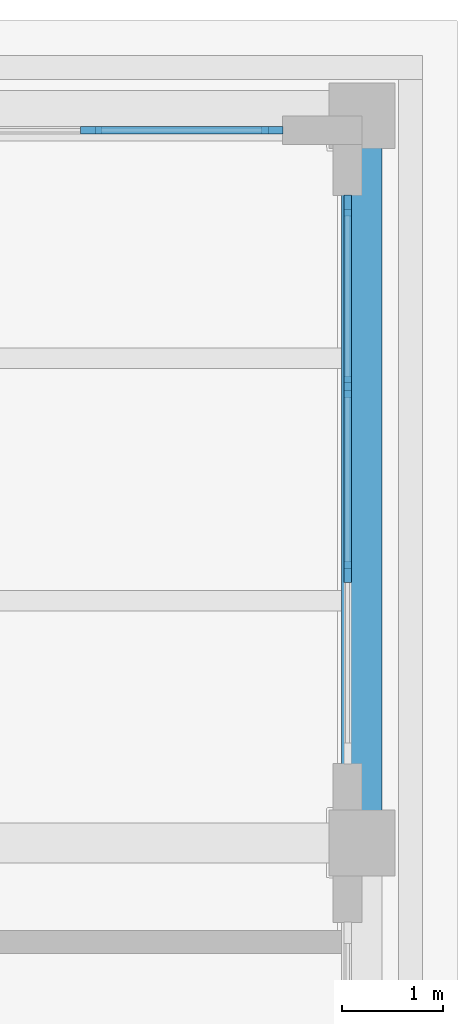
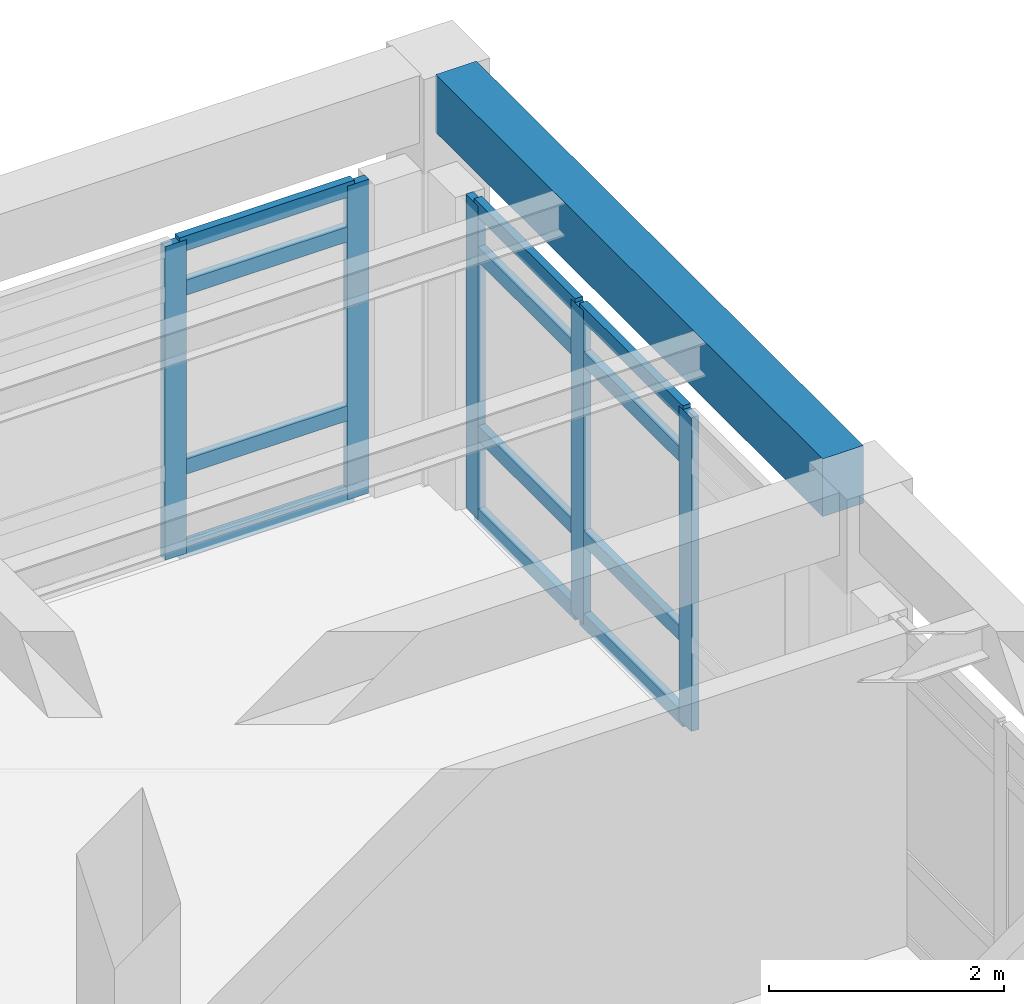
# One storey, part 32 of 55: 17 members, 1 beam, 2 elements without a shape of their own.
"""IFC4 building model written with IfcOpenShell, lengths in metres."""

from ifc_helpers import new_model, si_unit, direction, frame, origin, origin_2d, place, context, subcontext, project, spatial, rectangle, extrude, material, layer, layer_set, material_profile, profile_set, type_object, element, aggregate, save


model = new_model("IFC4")

# Units and contexts
model_context = context("Model", 3, precision=1e-05, world=origin(), true_north=direction((0.0, 1.0)))
body_context = subcontext(model_context, "Body", "Model", "MODEL_VIEW")
ifc_project = project(units=[si_unit("LENGTHUNIT", "METRE"), si_unit("AREAUNIT", "SQUARE_METRE"), si_unit("VOLUMEUNIT", "CUBIC_METRE"), si_unit("PLANEANGLEUNIT", "RADIAN"), si_unit("MASSUNIT", "GRAM", prefix="KILO")], contexts=[model_context])

# Site, building, storey
site_placement = place(None, origin())
site = spatial("IfcSite", under=ifc_project, at=site_placement, CompositionType="ELEMENT")
building_placement = place(site_placement, origin())
building = spatial("IfcBuilding", under=site, at=building_placement, Name="Solenvale Faculty of Natural Sciences", CompositionType="ELEMENT")
storey_placement = place(building_placement, frame((0.0, 0.0, 22.5)))
storey = spatial("IfcBuildingStorey", under=building, at=storey_placement, Name="L05", CompositionType="ELEMENT", Elevation=22.5)

# Beam
ifc_material_1 = material(Name="Concrete 40 MPa", Category="concrete")
ifc_material_profile_1 = material_profile(ifc_material_1, rectangle(XDim=0.39990234375, YDim=0.60009765625, at=origin_2d()), Name="RC-BM-400x600")
ifc_profile_set_1 = profile_set([ifc_material_profile_1], Name="Concrete 40 MPa")
beam_type = type_object("IfcBeamType", Name="BM-RC-400x600", PredefinedType="BEAM", material=ifc_profile_set_1)
beam_placement = place(storey_placement, frame((151.199951171875, 108.304931640625, 3.919921875), z_axis=(0.0, 1.0, 0.0), x_axis=(-1.0, 0.0, 0.0)))
element("IfcBeam", 1, at=beam_placement, inside=storey, type_object=beam_type, Name="L05 Y-Girder X151.2 (108.0..115.2)", PredefinedType="BEAM", context=body_context, shape_type="SweptSolid", body=[
    extrude(rectangle(XDim=0.39990234375, YDim=0.60009765625, at=origin_2d()), origin(), (0.0, 0.0, 1.0), 6.590087890625),
])

# Curtain wall, members
ifc_material_2 = material(Name="Anodised bronze aluminium", Category="aluminium")
ifc_layer = layer(ifc_material_2, 0.179931640625)
ifc_layer_set = layer_set([ifc_layer], Name="Anodised bronze aluminium")
curtain_wall_type = type_object("IfcCurtainWallType", Name="CW-TWR-MOD", PredefinedType="USERDEFINED", material=ifc_layer_set)
curtain_wall_1_placement = place(storey_placement, origin())
curtain_wall_1 = element("IfcCurtainWall", 2, at=curtain_wall_1_placement, inside=storey, type_object=curtain_wall_type, Name="L05 Curtain Wall CW-L05-P2-E2-B3", ObjectType="UNITISED CURTAIN WALL", PredefinedType="USERDEFINED")
ifc_material_profile_2 = material_profile(ifc_material_2, rectangle(XDim=0.074951171875, YDim=0.2099609375, at=origin_2d()), Name="ALU-MUL-75x210")
ifc_profile_set_2 = profile_set([ifc_material_profile_2], Name="Anodised bronze aluminium")
member_type_1 = type_object("IfcMemberType", Name="CWM-ALU-75x210", PredefinedType="MULLION", material=ifc_profile_set_2)
member_1_placement = place(storey_placement, frame((151.0576171875, 110.683349609375, 0.0), z_axis=(0.0, 0.0, 1.0), x_axis=(-1.0, 0.0, 0.0)))
member_1 = element("IfcMember", 3, at=member_1_placement, type_object=member_type_1, Name="CW-04 mullion 2", PredefinedType="MULLION", context=body_context, shape_type="SweptSolid", body=[
    extrude(rectangle(XDim=0.074951171875, YDim=0.2099609375, at=origin_2d()), origin(), (0.0, 0.0, 1.0), 3.260009765625),
])
member_2_placement = place(storey_placement, frame((151.0576171875, 112.5166015625, 0.0), z_axis=(0.0, 0.0, 1.0), x_axis=(-1.0, 0.0, 0.0)))
member_2 = element("IfcMember", 4, at=member_2_placement, type_object=member_type_1, Name="CW-04 mullion 3", PredefinedType="MULLION", context=body_context, shape_type="SweptSolid", body=[
    extrude(rectangle(XDim=0.074951171875, YDim=0.2099609375, at=origin_2d()), origin(), (0.0, 0.0, 1.0), 3.260009765625),
])
member_3_placement = place(storey_placement, frame((151.0576171875, 114.3125, 0.0), z_axis=(0.0, 0.0, 1.0), x_axis=(-1.0, 0.0, 0.0)))
member_3 = element("IfcMember", 5, at=member_3_placement, type_object=member_type_1, Name="CW-04 mullion 4", PredefinedType="MULLION", context=body_context, shape_type="SweptSolid", body=[
    extrude(rectangle(XDim=0.074951171875, YDim=0.2099609375, at=origin_2d()), origin(), (0.0, 0.0, 1.0), 3.260009765625),
])

curtain_wall_2_placement = place(storey_placement, origin())
curtain_wall_2 = element("IfcCurtainWall", 6, at=curtain_wall_2_placement, inside=storey, type_object=curtain_wall_type, Name="L05 Curtain Wall CW-L05-P2-E3-B1", ObjectType="UNITISED CURTAIN WALL", PredefinedType="USERDEFINED")
member_4_placement = place(storey_placement, frame((150.3125, 115.0576171875, 0.0), z_axis=(0.0, 0.0, 1.0), x_axis=(0.0, -1.0, 0.0)))
member_4 = element("IfcMember", 7, at=member_4_placement, type_object=member_type_1, Name="CW-04 mullion 1", PredefinedType="MULLION", context=body_context, shape_type="SweptSolid", body=[
    extrude(rectangle(XDim=0.074951171875, YDim=0.2099609375, at=origin_2d()), origin(), (0.0, 0.0, 1.0), 3.260009765625),
])
member_5_placement = place(storey_placement, frame((148.5166015625, 115.0576171875, 0.0), z_axis=(0.0, 0.0, 1.0), x_axis=(0.0, -1.0, 0.0)))
member_5 = element("IfcMember", 8, at=member_5_placement, type_object=member_type_1, Name="CW-04 mullion 2", PredefinedType="MULLION", context=body_context, shape_type="SweptSolid", body=[
    extrude(rectangle(XDim=0.074951171875, YDim=0.2099609375, at=origin_2d()), origin(), (0.0, 0.0, 1.0), 3.260009765625),
])

# Member
ifc_material_profile_3 = material_profile(ifc_material_2, rectangle(XDim=0.074951171875, YDim=0.155029296875, at=origin_2d()), Name="ALU-TRN-75x155")
ifc_profile_set_3 = profile_set([ifc_material_profile_3], Name="Anodised bronze aluminium")
member_type_2 = type_object("IfcMemberType", Name="CWT-ALU-75x155", PredefinedType="USERDEFINED", material=ifc_profile_set_3)
member_6_placement = place(storey_placement, frame((151.0576171875, 110.720947265625, 0.03759765625), z_axis=(0.0, 1.0, 0.0), x_axis=(-1.0, 0.0, 0.0)))
member_6 = element("IfcMember", 9, at=member_6_placement, type_object=member_type_2, Name="CW-04 transom 2.1", ObjectType="TRANSOM", PredefinedType="USERDEFINED", context=body_context, shape_type="SweptSolid", body=[
    extrude(rectangle(XDim=0.074951171875, YDim=0.155029296875, at=origin_2d()), origin(), (0.0, 0.0, 1.0), 1.75830078125),
])

member_7_placement = place(storey_placement, frame((151.0576171875, 110.720947265625, 0.89990234375), z_axis=(0.0, 1.0, 0.0), x_axis=(-1.0, 0.0, 0.0)))
member_7 = element("IfcMember", 10, at=member_7_placement, type_object=member_type_2, Name="CW-04 transom 2.2", ObjectType="TRANSOM", PredefinedType="USERDEFINED", context=body_context, shape_type="SweptSolid", body=[
    extrude(rectangle(XDim=0.074951171875, YDim=0.155029296875, at=origin_2d()), origin(), (0.0, 0.0, 1.0), 1.75830078125),
])

member_8_placement = place(storey_placement, frame((151.0576171875, 110.720947265625, 2.760009765625), z_axis=(0.0, 1.0, 0.0), x_axis=(-1.0, 0.0, 0.0)))
member_8 = element("IfcMember", 11, at=member_8_placement, type_object=member_type_2, Name="CW-04 transom 2.3", ObjectType="TRANSOM", PredefinedType="USERDEFINED", context=body_context, shape_type="SweptSolid", body=[
    extrude(rectangle(XDim=0.074951171875, YDim=0.155029296875, at=origin_2d()), origin(), (0.0, 0.0, 1.0), 1.75830078125),
])

member_9_placement = place(storey_placement, frame((151.0576171875, 110.720947265625, 3.222412109375), z_axis=(0.0, 1.0, 0.0), x_axis=(-1.0, 0.0, 0.0)))
member_9 = element("IfcMember", 12, at=member_9_placement, type_object=member_type_2, Name="CW-04 transom 2.4", ObjectType="TRANSOM", PredefinedType="USERDEFINED", context=body_context, shape_type="SweptSolid", body=[
    extrude(rectangle(XDim=0.074951171875, YDim=0.155029296875, at=origin_2d()), origin(), (0.0, 0.0, 1.0), 1.75830078125),
])

member_10_placement = place(storey_placement, frame((151.0576171875, 112.55419921875, 0.03759765625), z_axis=(0.0, 1.0, 0.0), x_axis=(-1.0, 0.0, 0.0)))
member_10 = element("IfcMember", 13, at=member_10_placement, type_object=member_type_2, Name="CW-04 transom 3.1", ObjectType="TRANSOM", PredefinedType="USERDEFINED", context=body_context, shape_type="SweptSolid", body=[
    extrude(rectangle(XDim=0.074951171875, YDim=0.155029296875, at=origin_2d()), origin(), (0.0, 0.0, 1.0), 1.720703125),
])

member_11_placement = place(storey_placement, frame((151.0576171875, 112.55419921875, 0.89990234375), z_axis=(0.0, 1.0, 0.0), x_axis=(-1.0, 0.0, 0.0)))
member_11 = element("IfcMember", 14, at=member_11_placement, type_object=member_type_2, Name="CW-04 transom 3.2", ObjectType="TRANSOM", PredefinedType="USERDEFINED", context=body_context, shape_type="SweptSolid", body=[
    extrude(rectangle(XDim=0.074951171875, YDim=0.155029296875, at=origin_2d()), origin(), (0.0, 0.0, 1.0), 1.720703125),
])

member_12_placement = place(storey_placement, frame((151.0576171875, 112.55419921875, 2.760009765625), z_axis=(0.0, 1.0, 0.0), x_axis=(-1.0, 0.0, 0.0)))
member_12 = element("IfcMember", 15, at=member_12_placement, type_object=member_type_2, Name="CW-04 transom 3.3", ObjectType="TRANSOM", PredefinedType="USERDEFINED", context=body_context, shape_type="SweptSolid", body=[
    extrude(rectangle(XDim=0.074951171875, YDim=0.155029296875, at=origin_2d()), origin(), (0.0, 0.0, 1.0), 1.720703125),
])

member_13_placement = place(storey_placement, frame((151.0576171875, 112.55419921875, 3.222412109375), z_axis=(0.0, 1.0, 0.0), x_axis=(-1.0, 0.0, 0.0)))
member_13 = element("IfcMember", 16, at=member_13_placement, type_object=member_type_2, Name="CW-04 transom 3.4", ObjectType="TRANSOM", PredefinedType="USERDEFINED", context=body_context, shape_type="SweptSolid", body=[
    extrude(rectangle(XDim=0.074951171875, YDim=0.155029296875, at=origin_2d()), origin(), (0.0, 0.0, 1.0), 1.720703125),
])

aggregate(curtain_wall_1, [member_1, member_2, member_3, member_6, member_7, member_8, member_9, member_10, member_11, member_12, member_13])

member_14_placement = place(storey_placement, frame((150.27490234375, 115.0576171875, 0.03759765625), z_axis=(-1.0, 0.0, 0.0), x_axis=(0.0, -1.0, 0.0)))
member_14 = element("IfcMember", 17, at=member_14_placement, type_object=member_type_2, Name="CW-04 transom 1.1", ObjectType="TRANSOM", PredefinedType="USERDEFINED", context=body_context, shape_type="SweptSolid", body=[
    extrude(rectangle(XDim=0.074951171875, YDim=0.155029296875, at=origin_2d()), origin(), (0.0, 0.0, 1.0), 1.720703125),
])

member_15_placement = place(storey_placement, frame((150.27490234375, 115.0576171875, 0.89990234375), z_axis=(-1.0, 0.0, 0.0), x_axis=(0.0, -1.0, 0.0)))
member_15 = element("IfcMember", 18, at=member_15_placement, type_object=member_type_2, Name="CW-04 transom 1.2", ObjectType="TRANSOM", PredefinedType="USERDEFINED", context=body_context, shape_type="SweptSolid", body=[
    extrude(rectangle(XDim=0.074951171875, YDim=0.155029296875, at=origin_2d()), origin(), (0.0, 0.0, 1.0), 1.720703125),
])

member_16_placement = place(storey_placement, frame((150.27490234375, 115.0576171875, 2.760009765625), z_axis=(-1.0, 0.0, 0.0), x_axis=(0.0, -1.0, 0.0)))
member_16 = element("IfcMember", 19, at=member_16_placement, type_object=member_type_2, Name="CW-04 transom 1.3", ObjectType="TRANSOM", PredefinedType="USERDEFINED", context=body_context, shape_type="SweptSolid", body=[
    extrude(rectangle(XDim=0.074951171875, YDim=0.155029296875, at=origin_2d()), origin(), (0.0, 0.0, 1.0), 1.720703125),
])

member_17_placement = place(storey_placement, frame((150.27490234375, 115.0576171875, 3.222412109375), z_axis=(-1.0, 0.0, 0.0), x_axis=(0.0, -1.0, 0.0)))
member_17 = element("IfcMember", 20, at=member_17_placement, type_object=member_type_2, Name="CW-04 transom 1.4", ObjectType="TRANSOM", PredefinedType="USERDEFINED", context=body_context, shape_type="SweptSolid", body=[
    extrude(rectangle(XDim=0.074951171875, YDim=0.155029296875, at=origin_2d()), origin(), (0.0, 0.0, 1.0), 1.720703125),
])

aggregate(curtain_wall_2, [member_4, member_5, member_14, member_15, member_16, member_17])

save(model, "model.ifc")
